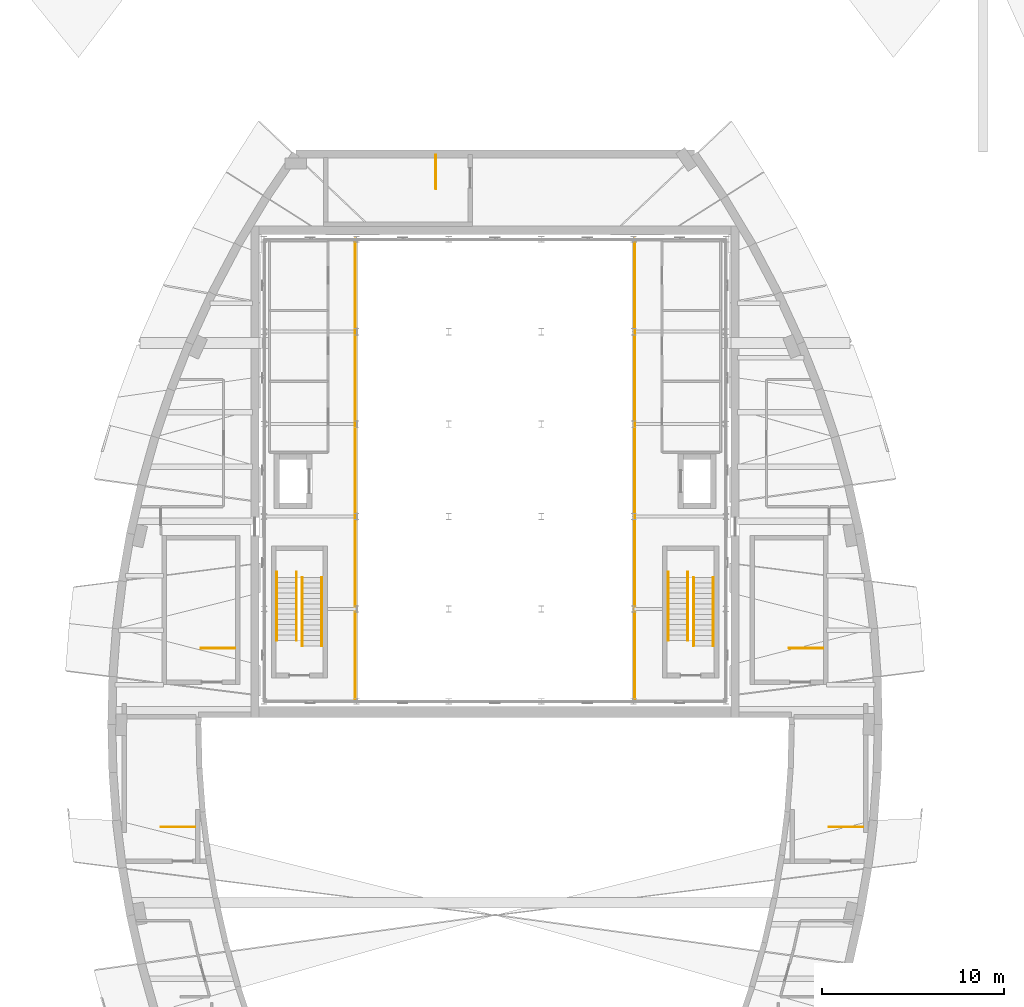
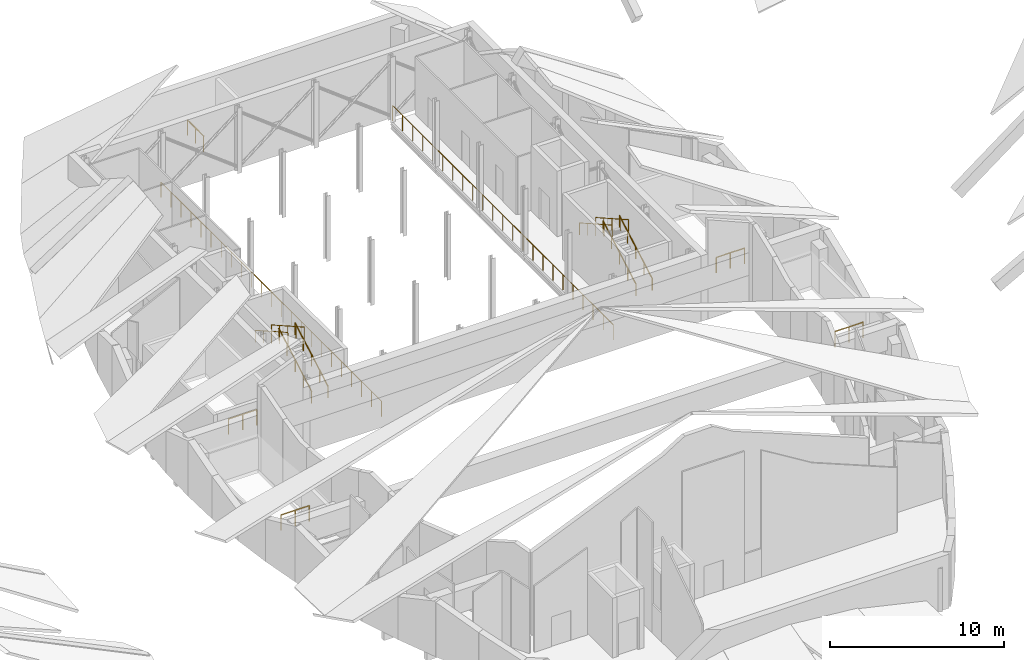
# One storey, part 17 of 17: 15 railings.
"""IFC4 building model written with IfcOpenShell, lengths in metres."""

from ifc_helpers import new_model, si_unit, direction, frame, origin, origin_2d, place, context, subcontext, project, spatial, circle, extrude, material, type_object, element, save


model = new_model("IFC4")

# Units and contexts
model_context = context("Model", 3, precision=1e-05, world=origin(), true_north=direction((0.0, 1.0)))
body_context = subcontext(model_context, "Body", "Model", "MODEL_VIEW")
ifc_project = project(units=[si_unit("LENGTHUNIT", "METRE"), si_unit("AREAUNIT", "SQUARE_METRE"), si_unit("VOLUMEUNIT", "CUBIC_METRE"), si_unit("PLANEANGLEUNIT", "RADIAN"), si_unit("MASSUNIT", "GRAM", prefix="KILO")], contexts=[model_context])

# Site, building, storey
site_placement = place(None, origin())
site = spatial("IfcSite", under=ifc_project, at=site_placement, CompositionType="ELEMENT")
building_placement = place(site_placement, origin())
building = spatial("IfcBuilding", under=site, at=building_placement, Name="Tide Square Theatres", CompositionType="ELEMENT")
storey_placement = place(building_placement, frame((0.0, 0.0, 14.800048828125)))
storey = spatial("IfcBuildingStorey", under=building, at=storey_placement, Name="L03", CompositionType="ELEMENT", Elevation=14.800048828125)

# Railings
ifc_material_1 = material(Name="Painted steel", Category="steel")
railing_type_1 = type_object("IfcRailingType", Name="Steel guard 1100", PredefinedType="GUARDRAIL", material=ifc_material_1)
railing_1_placement = place(storey_placement, frame((69.669921875, 59.204345703125, 0.0)))
element("IfcRailing", 1, at=railing_1_placement, inside=storey, type_object=railing_type_1, Name="Main Theatre stair 1 well guard", PredefinedType="GUARDRAIL", context=body_context, shape_type="SweptSolid", body=[
    extrude(circle(Radius=0.02490234375, at=origin_2d()), frame((0.0, 0.0, 1.0751953125), z_axis=(-1.0, 0.0, 0.0), x_axis=(0.0, -1.0, 0.0)), (0.0, 0.0, 1.0), 1.869873046875),
    extrude(circle(Radius=0.02001953125, at=origin_2d()), origin(), (0.0, 0.0, 1.0), 1.050048828125),
    extrude(circle(Radius=0.02001953125, at=origin_2d()), frame((-0.93505859375, 0.0, 0.0)), (0.0, 0.0, 1.0), 1.050048828125),
    extrude(circle(Radius=0.02001953125, at=origin_2d()), frame((-1.869873046875, 0.0, 0.0)), (0.0, 0.0, 1.0), 1.050048828125),
])
railing_2_placement = place(storey_placement, frame((102.070068359375, 59.204345703125, 0.0)))
element("IfcRailing", 2, at=railing_2_placement, inside=storey, type_object=railing_type_1, Name="Main Theatre stair 2 well guard", PredefinedType="GUARDRAIL", context=body_context, shape_type="SweptSolid", body=[
    extrude(circle(Radius=0.02490234375, at=origin_2d()), frame((0.0, 0.0, 1.0751953125), z_axis=(-1.0, 0.0, 0.0), x_axis=(0.0, -1.0, 0.0)), (0.0, 0.0, 1.0), 1.8701171875),
    extrude(circle(Radius=0.02001953125, at=origin_2d()), origin(), (0.0, 0.0, 1.0), 1.050048828125),
    extrude(circle(Radius=0.02001953125, at=origin_2d()), frame((-0.93505859375, 0.0, 0.0)), (0.0, 0.0, 1.0), 1.050048828125),
    extrude(circle(Radius=0.02001953125, at=origin_2d()), frame((-1.8701171875, 0.0, 0.0)), (0.0, 0.0, 1.0), 1.050048828125),
])
railing_3_placement = place(storey_placement, frame((67.469970703125, 49.354248046875, 0.0)))
element("IfcRailing", 3, at=railing_3_placement, inside=storey, type_object=railing_type_1, Name="Main Theatre stair 3 well guard", PredefinedType="GUARDRAIL", context=body_context, shape_type="SweptSolid", body=[
    extrude(circle(Radius=0.02490234375, at=origin_2d()), frame((0.0, 0.0, 1.0751953125), z_axis=(-1.0, 0.0, 0.0), x_axis=(0.0, -1.0, 0.0)), (0.0, 0.0, 1.0), 1.869873046875),
    extrude(circle(Radius=0.02001953125, at=origin_2d()), origin(), (0.0, 0.0, 1.0), 1.050048828125),
    extrude(circle(Radius=0.02001953125, at=origin_2d()), frame((-0.93505859375, 0.0, 0.0)), (0.0, 0.0, 1.0), 1.050048828125),
    extrude(circle(Radius=0.02001953125, at=origin_2d()), frame((-1.869873046875, 0.0, 0.0)), (0.0, 0.0, 1.0), 1.050048828125),
])
railing_4_placement = place(storey_placement, frame((104.27001953125, 49.354248046875, 0.0)))
element("IfcRailing", 4, at=railing_4_placement, inside=storey, type_object=railing_type_1, Name="Main Theatre stair 4 well guard", PredefinedType="GUARDRAIL", context=body_context, shape_type="SweptSolid", body=[
    extrude(circle(Radius=0.02490234375, at=origin_2d()), frame((0.0, 0.0, 1.0751953125), z_axis=(-1.0, 0.0, 0.0), x_axis=(0.0, -1.0, 0.0)), (0.0, 0.0, 1.0), 1.8701171875),
    extrude(circle(Radius=0.02001953125, at=origin_2d()), origin(), (0.0, 0.0, 1.0), 1.050048828125),
    extrude(circle(Radius=0.02001953125, at=origin_2d()), frame((-0.93505859375, 0.0, 0.0)), (0.0, 0.0, 1.0), 1.050048828125),
    extrude(circle(Radius=0.02001953125, at=origin_2d()), frame((-1.8701171875, 0.0, 0.0)), (0.0, 0.0, 1.0), 1.050048828125),
])
railing_5_placement = place(storey_placement, frame((80.74560546875, 86.3701171875, 0.0)))
element("IfcRailing", 5, at=railing_5_placement, inside=storey, type_object=railing_type_1, Name="Main Theatre stair 5 well guard", PredefinedType="GUARDRAIL", context=body_context, shape_type="SweptSolid", body=[
    extrude(circle(Radius=0.02490234375, at=origin_2d()), frame((0.0, 0.0, 1.0751953125), z_axis=(0.0, -1.0, 0.0), x_axis=(1.0, 0.0, 0.0)), (0.0, 0.0, 1.0), 1.8701171875),
    extrude(circle(Radius=0.02001953125, at=origin_2d()), origin(), (0.0, 0.0, 1.0), 1.050048828125),
    extrude(circle(Radius=0.02001953125, at=origin_2d()), frame((0.0, -0.93505859375, 0.0)), (0.0, 0.0, 1.0), 1.050048828125),
    extrude(circle(Radius=0.02001953125, at=origin_2d()), frame((0.0, -1.8701171875, 0.0)), (0.0, 0.0, 1.0), 1.050048828125),
])
railing_6_placement = place(storey_placement, frame((76.3056640625, 56.3359375, 0.0)))
element("IfcRailing", 6, at=railing_6_placement, inside=storey, type_object=railing_type_1, Name="Fly gallery 03 west guard", PredefinedType="GUARDRAIL", context=body_context, shape_type="SweptSolid", body=[
    extrude(circle(Radius=0.02490234375, at=origin_2d()), frame((0.0, 0.0, 1.0751953125), z_axis=(0.0, 1.0, 0.0), x_axis=(-1.0, 0.0, 0.0)), (0.0, 0.0, 1.0), 25.38818359375),
    extrude(circle(Radius=0.02001953125, at=origin_2d()), origin(), (0.0, 0.0, 1.0), 1.050048828125),
    extrude(circle(Radius=0.02001953125, at=origin_2d()), frame((0.0, 1.154052734375, 0.0)), (0.0, 0.0, 1.0), 1.050048828125),
    extrude(circle(Radius=0.02001953125, at=origin_2d()), frame((0.0, 2.30810546875, 0.0)), (0.0, 0.0, 1.0), 1.050048828125),
    extrude(circle(Radius=0.02001953125, at=origin_2d()), frame((0.0, 3.4619140625, 0.0)), (0.0, 0.0, 1.0), 1.050048828125),
    extrude(circle(Radius=0.02001953125, at=origin_2d()), frame((0.0, 4.615966796875, 0.0)), (0.0, 0.0, 1.0), 1.050048828125),
    extrude(circle(Radius=0.02001953125, at=origin_2d()), frame((0.0, 5.77001953125, 0.0)), (0.0, 0.0, 1.0), 1.050048828125),
    extrude(circle(Radius=0.02001953125, at=origin_2d()), frame((0.0, 6.924072265625, 0.0)), (0.0, 0.0, 1.0), 1.050048828125),
    extrude(circle(Radius=0.02001953125, at=origin_2d()), frame((0.0, 8.078125, 0.0)), (0.0, 0.0, 1.0), 1.050048828125),
    extrude(circle(Radius=0.02001953125, at=origin_2d()), frame((0.0, 9.232177734375, 0.0)), (0.0, 0.0, 1.0), 1.050048828125),
    extrude(circle(Radius=0.02001953125, at=origin_2d()), frame((0.0, 10.385986328125, 0.0)), (0.0, 0.0, 1.0), 1.050048828125),
    extrude(circle(Radius=0.02001953125, at=origin_2d()), frame((0.0, 11.5400390625, 0.0)), (0.0, 0.0, 1.0), 1.050048828125),
    extrude(circle(Radius=0.02001953125, at=origin_2d()), frame((0.0, 12.694091796875, 0.0)), (0.0, 0.0, 1.0), 1.050048828125),
    extrude(circle(Radius=0.02001953125, at=origin_2d()), frame((0.0, 13.84814453125, 0.0)), (0.0, 0.0, 1.0), 1.050048828125),
    extrude(circle(Radius=0.02001953125, at=origin_2d()), frame((0.0, 15.002197265625, 0.0)), (0.0, 0.0, 1.0), 1.050048828125),
    extrude(circle(Radius=0.02001953125, at=origin_2d()), frame((0.0, 16.156005859375, 0.0)), (0.0, 0.0, 1.0), 1.050048828125),
    extrude(circle(Radius=0.02001953125, at=origin_2d()), frame((0.0, 17.31005859375, 0.0)), (0.0, 0.0, 1.0), 1.050048828125),
    extrude(circle(Radius=0.02001953125, at=origin_2d()), frame((0.0, 18.464111328125, 0.0)), (0.0, 0.0, 1.0), 1.050048828125),
    extrude(circle(Radius=0.02001953125, at=origin_2d()), frame((0.0, 19.6181640625, 0.0)), (0.0, 0.0, 1.0), 1.050048828125),
    extrude(circle(Radius=0.02001953125, at=origin_2d()), frame((0.0, 20.772216796875, 0.0)), (0.0, 0.0, 1.0), 1.050048828125),
    extrude(circle(Radius=0.02001953125, at=origin_2d()), frame((0.0, 21.92626953125, 0.0)), (0.0, 0.0, 1.0), 1.050048828125),
    extrude(circle(Radius=0.02001953125, at=origin_2d()), frame((0.0, 23.080078125, 0.0)), (0.0, 0.0, 1.0), 1.050048828125),
    extrude(circle(Radius=0.02001953125, at=origin_2d()), frame((0.0, 24.234130859375, 0.0)), (0.0, 0.0, 1.0), 1.050048828125),
    extrude(circle(Radius=0.02001953125, at=origin_2d()), frame((0.0, 25.38818359375, 0.0)), (0.0, 0.0, 1.0), 1.050048828125),
])
railing_7_placement = place(storey_placement, frame((91.6943359375, 56.3359375, 0.0)))
element("IfcRailing", 7, at=railing_7_placement, inside=storey, type_object=railing_type_1, Name="Fly gallery 03 east guard", PredefinedType="GUARDRAIL", context=body_context, shape_type="SweptSolid", body=[
    extrude(circle(Radius=0.02490234375, at=origin_2d()), frame((0.0, 0.0, 1.0751953125), z_axis=(0.0, 1.0, 0.0), x_axis=(-1.0, 0.0, 0.0)), (0.0, 0.0, 1.0), 25.38818359375),
    extrude(circle(Radius=0.02001953125, at=origin_2d()), origin(), (0.0, 0.0, 1.0), 1.050048828125),
    extrude(circle(Radius=0.02001953125, at=origin_2d()), frame((0.0, 1.154052734375, 0.0)), (0.0, 0.0, 1.0), 1.050048828125),
    extrude(circle(Radius=0.02001953125, at=origin_2d()), frame((0.0, 2.30810546875, 0.0)), (0.0, 0.0, 1.0), 1.050048828125),
    extrude(circle(Radius=0.02001953125, at=origin_2d()), frame((0.0, 3.4619140625, 0.0)), (0.0, 0.0, 1.0), 1.050048828125),
    extrude(circle(Radius=0.02001953125, at=origin_2d()), frame((0.0, 4.615966796875, 0.0)), (0.0, 0.0, 1.0), 1.050048828125),
    extrude(circle(Radius=0.02001953125, at=origin_2d()), frame((0.0, 5.77001953125, 0.0)), (0.0, 0.0, 1.0), 1.050048828125),
    extrude(circle(Radius=0.02001953125, at=origin_2d()), frame((0.0, 6.924072265625, 0.0)), (0.0, 0.0, 1.0), 1.050048828125),
    extrude(circle(Radius=0.02001953125, at=origin_2d()), frame((0.0, 8.078125, 0.0)), (0.0, 0.0, 1.0), 1.050048828125),
    extrude(circle(Radius=0.02001953125, at=origin_2d()), frame((0.0, 9.232177734375, 0.0)), (0.0, 0.0, 1.0), 1.050048828125),
    extrude(circle(Radius=0.02001953125, at=origin_2d()), frame((0.0, 10.385986328125, 0.0)), (0.0, 0.0, 1.0), 1.050048828125),
    extrude(circle(Radius=0.02001953125, at=origin_2d()), frame((0.0, 11.5400390625, 0.0)), (0.0, 0.0, 1.0), 1.050048828125),
    extrude(circle(Radius=0.02001953125, at=origin_2d()), frame((0.0, 12.694091796875, 0.0)), (0.0, 0.0, 1.0), 1.050048828125),
    extrude(circle(Radius=0.02001953125, at=origin_2d()), frame((0.0, 13.84814453125, 0.0)), (0.0, 0.0, 1.0), 1.050048828125),
    extrude(circle(Radius=0.02001953125, at=origin_2d()), frame((0.0, 15.002197265625, 0.0)), (0.0, 0.0, 1.0), 1.050048828125),
    extrude(circle(Radius=0.02001953125, at=origin_2d()), frame((0.0, 16.156005859375, 0.0)), (0.0, 0.0, 1.0), 1.050048828125),
    extrude(circle(Radius=0.02001953125, at=origin_2d()), frame((0.0, 17.31005859375, 0.0)), (0.0, 0.0, 1.0), 1.050048828125),
    extrude(circle(Radius=0.02001953125, at=origin_2d()), frame((0.0, 18.464111328125, 0.0)), (0.0, 0.0, 1.0), 1.050048828125),
    extrude(circle(Radius=0.02001953125, at=origin_2d()), frame((0.0, 19.6181640625, 0.0)), (0.0, 0.0, 1.0), 1.050048828125),
    extrude(circle(Radius=0.02001953125, at=origin_2d()), frame((0.0, 20.772216796875, 0.0)), (0.0, 0.0, 1.0), 1.050048828125),
    extrude(circle(Radius=0.02001953125, at=origin_2d()), frame((0.0, 21.92626953125, 0.0)), (0.0, 0.0, 1.0), 1.050048828125),
    extrude(circle(Radius=0.02001953125, at=origin_2d()), frame((0.0, 23.080078125, 0.0)), (0.0, 0.0, 1.0), 1.050048828125),
    extrude(circle(Radius=0.02001953125, at=origin_2d()), frame((0.0, 24.234130859375, 0.0)), (0.0, 0.0, 1.0), 1.050048828125),
    extrude(circle(Radius=0.02001953125, at=origin_2d()), frame((0.0, 25.38818359375, 0.0)), (0.0, 0.0, 1.0), 1.050048828125),
])
ifc_material_2 = material(Name="Painted steel", Category="steel")
railing_type_2 = type_object("IfcRailingType", Name="Steel handrail 850", PredefinedType="HANDRAIL", material=ifc_material_2)
for number, where, name in (
    (8, (74.466064453125, 59.325927734375, 0.164306640625), "Stair handrail 11"),
    (9, (73.385986328125, 59.325927734375, 0.164306640625), "Stair handrail 11"),
):
    element("IfcRailing", number, at=place(storey_placement, frame(where)), inside=storey, type_object=railing_type_2, Name=name, PredefinedType="HANDRAIL", context=body_context, shape_type="SweptSolid", body=[
        extrude(circle(Radius=0.02490234375, at=origin_2d()), frame((0.0, 0.0, 0.8251953125), z_axis=(0.0, 0.870081794457, 0.492907365491), x_axis=(-1.0, 0.0, 0.0)), (0.0, 0.0, 1.0), 4.3330078125),
        extrude(circle(Radius=0.02001953125, at=origin_2d()), origin(), (0.0, 0.0, 1.0), 0.800048828125),
        extrude(circle(Radius=0.02001953125, at=origin_2d()), frame((0.0, 0.9423828125, 0.533935546875)), (0.0, 0.0, 1.0), 0.800048828125),
        extrude(circle(Radius=0.02001953125, at=origin_2d()), frame((0.0, 1.885009765625, 1.06787109375)), (0.0, 0.0, 1.0), 0.800048828125),
        extrude(circle(Radius=0.02001953125, at=origin_2d()), frame((0.0, 2.82763671875, 1.601806640625)), (0.0, 0.0, 1.0), 0.800048828125),
        extrude(circle(Radius=0.02001953125, at=origin_2d()), frame((0.0, 3.77001953125, 2.1357421875)), (0.0, 0.0, 1.0), 0.800048828125),
    ])
for number, where, name in (
    (10, (73.06591796875, 63.400390625, 2.46435546875), "Stair handrail 11"),
    (11, (71.986083984375, 63.400390625, 2.46435546875), "Stair handrail 11"),
):
    element("IfcRailing", number, at=place(storey_placement, frame(where)), inside=storey, type_object=railing_type_2, Name=name, PredefinedType="HANDRAIL", context=body_context, shape_type="SweptSolid", body=[
        extrude(circle(Radius=0.02490234375, at=origin_2d()), frame((0.0, 0.0, 0.8251953125), z_axis=(0.0, -0.870105958811, 0.492864708051), x_axis=(1.0, 0.0, 0.0)), (0.0, 0.0, 1.0), 4.332763671875),
        extrude(circle(Radius=0.02001953125, at=origin_2d()), origin(), (0.0, 0.0, 1.0), 0.800048828125),
        extrude(circle(Radius=0.02001953125, at=origin_2d()), frame((0.0, -0.9423828125, 0.533935546875)), (0.0, 0.0, 1.0), 0.800048828125),
        extrude(circle(Radius=0.02001953125, at=origin_2d()), frame((0.0, -1.885009765625, 1.06787109375)), (0.0, 0.0, 1.0), 0.800048828125),
        extrude(circle(Radius=0.02001953125, at=origin_2d()), frame((0.0, -2.82763671875, 1.6015625)), (0.0, 0.0, 1.0), 0.800048828125),
        extrude(circle(Radius=0.02001953125, at=origin_2d()), frame((0.0, -3.77001953125, 2.135498046875)), (0.0, 0.0, 1.0), 0.800048828125),
    ])
for number, where, name in (
    (12, (96.013916015625, 59.325927734375, 0.164306640625), "Stair handrail 12"),
    (13, (94.93408203125, 59.325927734375, 0.164306640625), "Stair handrail 12"),
):
    element("IfcRailing", number, at=place(storey_placement, frame(where)), inside=storey, type_object=railing_type_2, Name=name, PredefinedType="HANDRAIL", context=body_context, shape_type="SweptSolid", body=[
        extrude(circle(Radius=0.02490234375, at=origin_2d()), frame((0.0, 0.0, 0.8251953125), z_axis=(0.0, 0.870081794457, 0.492907365491), x_axis=(-1.0, 0.0, 0.0)), (0.0, 0.0, 1.0), 4.3330078125),
        extrude(circle(Radius=0.02001953125, at=origin_2d()), origin(), (0.0, 0.0, 1.0), 0.800048828125),
        extrude(circle(Radius=0.02001953125, at=origin_2d()), frame((0.0, 0.9423828125, 0.533935546875)), (0.0, 0.0, 1.0), 0.800048828125),
        extrude(circle(Radius=0.02001953125, at=origin_2d()), frame((0.0, 1.885009765625, 1.06787109375)), (0.0, 0.0, 1.0), 0.800048828125),
        extrude(circle(Radius=0.02001953125, at=origin_2d()), frame((0.0, 2.82763671875, 1.601806640625)), (0.0, 0.0, 1.0), 0.800048828125),
        extrude(circle(Radius=0.02001953125, at=origin_2d()), frame((0.0, 3.77001953125, 2.1357421875)), (0.0, 0.0, 1.0), 0.800048828125),
    ])
for number, where, name in (
    (14, (94.614013671875, 63.400390625, 2.46435546875), "Stair handrail 12"),
    (15, (93.533935546875, 63.400390625, 2.46435546875), "Stair handrail 12"),
):
    element("IfcRailing", number, at=place(storey_placement, frame(where)), inside=storey, type_object=railing_type_2, Name=name, PredefinedType="HANDRAIL", context=body_context, shape_type="SweptSolid", body=[
        extrude(circle(Radius=0.02490234375, at=origin_2d()), frame((0.0, 0.0, 0.8251953125), z_axis=(0.0, -0.870105958811, 0.492864708051), x_axis=(1.0, 0.0, 0.0)), (0.0, 0.0, 1.0), 4.332763671875),
        extrude(circle(Radius=0.02001953125, at=origin_2d()), origin(), (0.0, 0.0, 1.0), 0.800048828125),
        extrude(circle(Radius=0.02001953125, at=origin_2d()), frame((0.0, -0.9423828125, 0.533935546875)), (0.0, 0.0, 1.0), 0.800048828125),
        extrude(circle(Radius=0.02001953125, at=origin_2d()), frame((0.0, -1.885009765625, 1.06787109375)), (0.0, 0.0, 1.0), 0.800048828125),
        extrude(circle(Radius=0.02001953125, at=origin_2d()), frame((0.0, -2.82763671875, 1.6015625)), (0.0, 0.0, 1.0), 0.800048828125),
        extrude(circle(Radius=0.02001953125, at=origin_2d()), frame((0.0, -3.77001953125, 2.135498046875)), (0.0, 0.0, 1.0), 0.800048828125),
    ])

save(model, "model.ifc")
